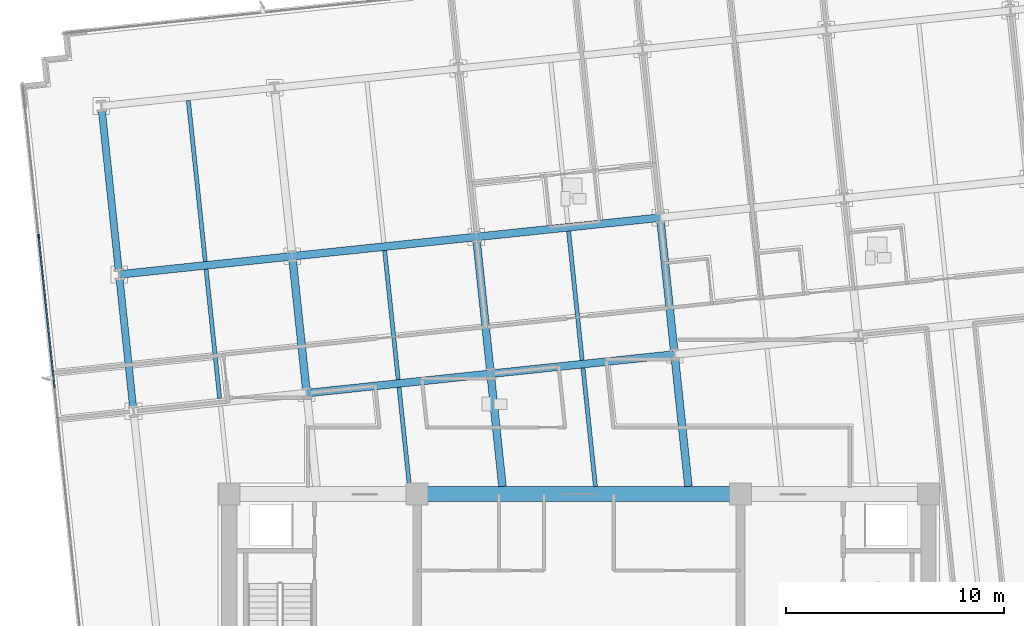
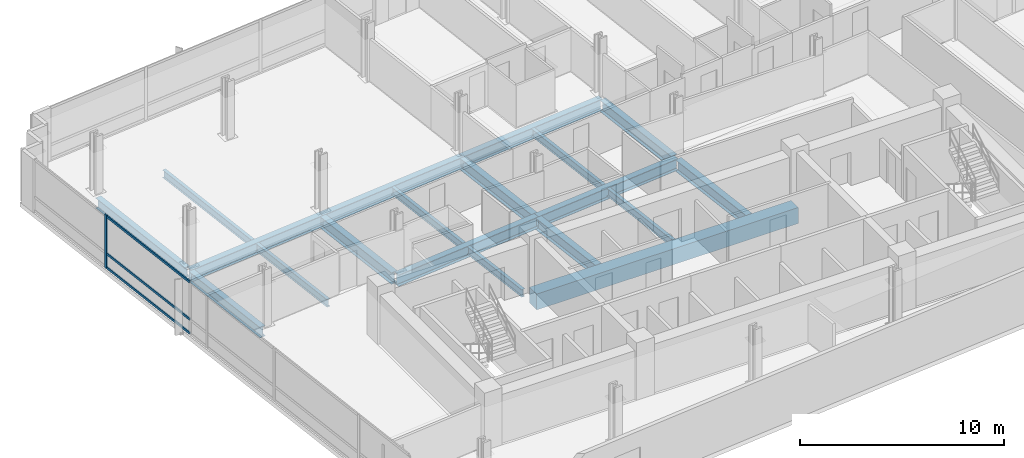
# One storey, part 3 of 17: 19 beams, 4 members, 1 element without a shape of its own.
"""IFC4 building model written with IfcOpenShell, lengths in metres."""

from ifc_helpers import new_model, si_unit, direction, frame, origin, origin_2d, place, context, subcontext, project, spatial, rectangle, i_section, extrude, material, material_profile, profile_set, type_object, element, aggregate, save


model = new_model("IFC4")

# Units and contexts
model_context = context("Model", 3, precision=1e-05, world=origin(), true_north=direction((0.0, 1.0)))
body_context = subcontext(model_context, "Body", "Model", "MODEL_VIEW")
ifc_project = project(units=[si_unit("LENGTHUNIT", "METRE"), si_unit("AREAUNIT", "SQUARE_METRE"), si_unit("VOLUMEUNIT", "CUBIC_METRE"), si_unit("PLANEANGLEUNIT", "RADIAN"), si_unit("MASSUNIT", "GRAM", prefix="KILO")], contexts=[model_context])

# Site, building, storey
site_placement = place(None, origin())
site = spatial("IfcSite", under=ifc_project, at=site_placement, CompositionType="ELEMENT")
building_placement = place(site_placement, origin())
building = spatial("IfcBuilding", under=site, at=building_placement, Name="Solmavex Isthmus Hotel", CompositionType="ELEMENT")
storey_placement = place(building_placement, frame((0.0, 0.0, 93.89990234375)))
storey = spatial("IfcBuildingStorey", under=building, at=storey_placement, Name="L25", CompositionType="ELEMENT", Elevation=93.89990234375)

# Beams
ifc_material_1 = material(Name="Steel ASTM A992 Grade 50", Category="steel")
ifc_material_profile_1 = material_profile(ifc_material_1, i_section(OverallWidth=0.354736328125, OverallDepth=0.695556640625, WebThickness=0.015380859375, FlangeThickness=0.02490234375, FilletRadius=0.017822265625, at=origin_2d()), Name="W27X146")
ifc_profile_set_1 = profile_set([ifc_material_profile_1], Name="Steel ASTM A992 Grade 50")
beam_type_1 = type_object("IfcBeamType", Name="BM-BG-W27X146", PredefinedType="BEAM", material=ifc_profile_set_1)
beam_1_placement = place(storey_placement, frame((-12.458740234375, 2.11865234375, -0.607666015625), z_axis=(0.994521085209, 0.104536171134, 0.0), x_axis=(-0.104536171134, 0.994521085209, 0.0)))
element("IfcBeam", 1, at=beam_1_placement, inside=storey, type_object=beam_type_1, Name="Floor Girder L25-UG08", PredefinedType="BEAM", context=body_context, shape_type="SweptSolid", body=[
    extrude(i_section(OverallWidth=0.354736328125, OverallDepth=0.695556640625, WebThickness=0.015380859375, FlangeThickness=0.02490234375, FilletRadius=0.017822265625, at=origin_2d()), origin(), (0.0, 0.0, 1.0), 8.466064453125),
])
beam_2_placement = place(storey_placement, frame((-4.0390625, 3.003662109375, -0.607666015625), z_axis=(0.994523767887, 0.104510645909, 0.0), x_axis=(-0.104510645909, 0.994523767887, 0.0)))
element("IfcBeam", 2, at=beam_2_placement, inside=storey, type_object=beam_type_1, Name="Floor Girder L25-UG09", PredefinedType="BEAM", context=body_context, shape_type="SweptSolid", body=[
    extrude(i_section(OverallWidth=0.354736328125, OverallDepth=0.695556640625, WebThickness=0.015380859375, FlangeThickness=0.02490234375, FilletRadius=0.017822265625, at=origin_2d()), origin(), (0.0, 0.0, 1.0), 8.4658203125),
])
beam_3_placement = place(storey_placement, frame((-21.04150390625, 7.54931640625, -0.607666015625), z_axis=(0.994523402738, 0.104514120609, 0.0), x_axis=(-0.104514120609, 0.994523402738, 0.0)))
element("IfcBeam", 3, at=beam_3_placement, inside=storey, type_object=beam_type_1, Name="Floor Girder L25-UG13", PredefinedType="BEAM", context=body_context, shape_type="SweptSolid", body=[
    extrude(i_section(OverallWidth=0.354736328125, OverallDepth=0.695556640625, WebThickness=0.015380859375, FlangeThickness=0.02490234375, FilletRadius=0.017822265625, at=origin_2d()), origin(), (0.0, 0.0, 1.0), 7.968017578125),
])
for number, where, z_axis, x_axis, name in (
    (4, (-13.1171875, 8.382080078125, -0.607666015625), (0.994521085209, 0.104536171134, 0.0), (-0.104536171134, 0.994521085209, 0.0), "Floor Girder L25-UG14"),
    (5, (-4.697509765625, 9.26708984375, -0.607666015625), (0.994521085209, 0.104536171134, 0.0), (-0.104536171134, 0.994521085209, 0.0), "Floor Girder L25-UG15"),
):
    element("IfcBeam", number, at=place(storey_placement, frame(where, z_axis=z_axis, x_axis=x_axis)), inside=storey, type_object=beam_type_1, Name=name, PredefinedType="BEAM", context=body_context, shape_type="SweptSolid", body=[
        extrude(i_section(OverallWidth=0.354736328125, OverallDepth=0.695556640625, WebThickness=0.015380859375, FlangeThickness=0.02490234375, FilletRadius=0.017822265625, at=origin_2d()), origin(), (0.0, 0.0, 1.0), 8.466064453125),
    ])
beam_4_placement = place(storey_placement, frame((-12.477294921875, 2.295166015625, -0.607666015625), z_axis=(-0.104545790518, 0.994520074048, 0.0), x_axis=(-0.994520074048, -0.104545790518, 0.0)))
element("IfcBeam", 6, at=beam_4_placement, inside=storey, type_object=beam_type_1, Name="Floor Beam L25-VG30", PredefinedType="BEAM", context=body_context, shape_type="SweptSolid", body=[
    extrude(i_section(OverallWidth=0.354736328125, OverallDepth=0.695556640625, WebThickness=0.015380859375, FlangeThickness=0.02490234375, FilletRadius=0.017822265625, at=origin_2d()), origin(), (0.0, 0.0, 1.0), 5.943115234375),
])
beam_5_placement = place(storey_placement, frame((-3.49755859375, -2.14990234375, -0.607666015625), z_axis=(-0.104496861251, 0.994525216366, 0.0), x_axis=(-0.994525216366, -0.104496861251, 0.0)))
element("IfcBeam", 7, at=beam_5_placement, inside=storey, type_object=beam_type_1, Name="Floor Beam L25-VG33", PredefinedType="BEAM", context=body_context, shape_type="SweptSolid", body=[
    extrude(i_section(OverallWidth=0.354736328125, OverallDepth=0.695556640625, WebThickness=0.015380859375, FlangeThickness=0.02490234375, FilletRadius=0.017822265625, at=origin_2d()), origin(), (0.0, 0.0, 1.0), 5.00439453125),
])
beam_6_placement = place(storey_placement, frame((-4.0576171875, 3.179931640625, -0.607666015625), z_axis=(-0.104545790518, 0.994520074048, 0.0), x_axis=(-0.994520074048, -0.104545790518, 0.0)))
element("IfcBeam", 8, at=beam_6_placement, inside=storey, type_object=beam_type_1, Name="Floor Beam L25-VG34", PredefinedType="BEAM", context=body_context, shape_type="SweptSolid", body=[
    extrude(i_section(OverallWidth=0.354736328125, OverallDepth=0.695556640625, WebThickness=0.015380859375, FlangeThickness=0.02490234375, FilletRadius=0.017822265625, at=origin_2d()), origin(), (0.0, 0.0, 1.0), 5.943115234375),
])
beam_7_placement = place(storey_placement, frame((5.01513671875, -2.14990234375, -0.607666015625), z_axis=(-0.104542482388, 0.994520421799, 0.0), x_axis=(-0.994520421799, -0.104542482388, 0.0)))
element("IfcBeam", 9, at=beam_7_placement, inside=storey, type_object=beam_type_1, Name="Floor Beam L25-VG37", PredefinedType="BEAM", context=body_context, shape_type="SweptSolid", body=[
    extrude(i_section(OverallWidth=0.354736328125, OverallDepth=0.695556640625, WebThickness=0.015380859375, FlangeThickness=0.02490234375, FilletRadius=0.017822265625, at=origin_2d()), origin(), (0.0, 0.0, 1.0), 5.894287109375),
])
beam_8_placement = place(storey_placement, frame((4.362060546875, 4.06494140625, -0.607666015625), z_axis=(-0.104545790518, 0.994520074048, 0.0), x_axis=(-0.994520074048, -0.104545790518, 0.0)))
element("IfcBeam", 10, at=beam_8_placement, inside=storey, type_object=beam_type_1, Name="Floor Beam L25-VG38", PredefinedType="BEAM", context=body_context, shape_type="SweptSolid", body=[
    extrude(i_section(OverallWidth=0.354736328125, OverallDepth=0.695556640625, WebThickness=0.015380859375, FlangeThickness=0.02490234375, FilletRadius=0.017822265625, at=origin_2d()), origin(), (0.0, 0.0, 1.0), 5.943115234375),
])
ifc_material_profile_2 = material_profile(ifc_material_1, i_section(OverallWidth=0.1904296875, OverallDepth=0.456787109375, WebThickness=0.009033203125, FlangeThickness=0.014404296875, FilletRadius=0.0126953125, at=origin_2d()), Name="W18X50")
ifc_profile_set_2 = profile_set([ifc_material_profile_2], Name="Steel ASTM A992 Grade 50")
beam_type_2 = type_object("IfcBeamType", Name="BM-BJ-W18X50", PredefinedType="JOIST", material=ifc_profile_set_2)
beam_9_placement = place(storey_placement, frame((-16.439453125, 1.878662109375, -0.48828125), z_axis=(-0.104545790518, 0.994520074048, 0.0), x_axis=(-0.994520074048, -0.104545790518, 0.0)))
element("IfcBeam", 11, at=beam_9_placement, inside=storey, type_object=beam_type_2, Name="Secondary Floor Joist L25-J03", PredefinedType="JOIST", context=body_context, shape_type="SweptSolid", body=[
    extrude(i_section(OverallWidth=0.1904296875, OverallDepth=0.456787109375, WebThickness=0.009033203125, FlangeThickness=0.014404296875, FilletRadius=0.0126953125, at=origin_2d()), origin(), (0.0, 0.0, 1.0), 5.943115234375),
])
beam_10_placement = place(storey_placement, frame((-17.097900390625, 8.14208984375, -0.48828125), z_axis=(-0.104525307271, 0.994522227072, 0.0), x_axis=(-0.994522227072, -0.104525307271, 0.0)))
element("IfcBeam", 12, at=beam_10_placement, inside=storey, type_object=beam_type_2, Name="Secondary Floor Joist L25-J04", PredefinedType="JOIST", context=body_context, shape_type="SweptSolid", body=[
    extrude(i_section(OverallWidth=0.1904296875, OverallDepth=0.456787109375, WebThickness=0.009033203125, FlangeThickness=0.014404296875, FilletRadius=0.0126953125, at=origin_2d()), origin(), (0.0, 0.0, 1.0), 7.4111328125),
])
beam_11_placement = place(storey_placement, frame((-7.75390625, -2.14990234375, -0.48828125), z_axis=(-0.104517550263, 0.994523042311, 0.0), x_axis=(-0.994523042311, -0.104517550263, 0.0)))
element("IfcBeam", 13, at=beam_11_placement, inside=storey, type_object=beam_type_2, Name="Secondary Floor Joist L25-J06", PredefinedType="JOIST", context=body_context, shape_type="SweptSolid", body=[
    extrude(i_section(OverallWidth=0.1904296875, OverallDepth=0.456787109375, WebThickness=0.009033203125, FlangeThickness=0.014404296875, FilletRadius=0.0126953125, at=origin_2d()), origin(), (0.0, 0.0, 1.0), 4.5595703125),
])
beam_12_placement = place(storey_placement, frame((-8.267578125, 2.737548828125, -0.48828125), z_axis=(-0.104505160346, 0.994524344328, 0.0), x_axis=(-0.994524344328, -0.104505160346, 0.0)))
element("IfcBeam", 14, at=beam_12_placement, inside=storey, type_object=beam_type_2, Name="Secondary Floor Joist L25-J07", PredefinedType="JOIST", context=body_context, shape_type="SweptSolid", body=[
    extrude(i_section(OverallWidth=0.1904296875, OverallDepth=0.456787109375, WebThickness=0.009033203125, FlangeThickness=0.014404296875, FilletRadius=0.0126953125, at=origin_2d()), origin(), (0.0, 0.0, 1.0), 5.943115234375),
])
beam_13_placement = place(storey_placement, frame((0.7587890625, -2.14990234375, -0.48828125), z_axis=(-0.104523862956, 0.99452237887, 0.0), x_axis=(-0.99452237887, -0.104523862956, 0.0)))
element("IfcBeam", 15, at=beam_13_placement, inside=storey, type_object=beam_type_2, Name="Secondary Floor Joist L25-J10", PredefinedType="JOIST", context=body_context, shape_type="SweptSolid", body=[
    extrude(i_section(OverallWidth=0.1904296875, OverallDepth=0.456787109375, WebThickness=0.009033203125, FlangeThickness=0.014404296875, FilletRadius=0.0126953125, at=origin_2d()), origin(), (0.0, 0.0, 1.0), 5.44921875),
])
beam_14_placement = place(storey_placement, frame((0.152099609375, 3.62255859375, -0.48828125), z_axis=(-0.104505160346, 0.994524344328, 0.0), x_axis=(-0.994524344328, -0.104505160346, 0.0)))
element("IfcBeam", 16, at=beam_14_placement, inside=storey, type_object=beam_type_2, Name="Secondary Floor Joist L25-J11", PredefinedType="JOIST", context=body_context, shape_type="SweptSolid", body=[
    extrude(i_section(OverallWidth=0.1904296875, OverallDepth=0.456787109375, WebThickness=0.009033203125, FlangeThickness=0.014404296875, FilletRadius=0.0126953125, at=origin_2d()), origin(), (0.0, 0.0, 1.0), 5.943115234375),
])
ifc_material_2 = material(Name="Concrete C60/75", Category="concrete")
ifc_material_profile_3 = material_profile(ifc_material_2, rectangle(XDim=0.699951171875, YDim=0.949951171875, at=origin_2d()), Name="RC700X950")
ifc_profile_set_3 = profile_set([ifc_material_profile_3], Name="Concrete C60/75")
beam_type_3 = type_object("IfcBeamType", Name="BM-CB-700X950", PredefinedType="BEAM", material=ifc_profile_set_3)
beam_15_placement = place(storey_placement, frame((-7.39990234375, -2.5, -0.73486328125), z_axis=(1.0, 0.0, 0.0), x_axis=(0.0, 1.0, 0.0)))
element("IfcBeam", 17, at=beam_15_placement, inside=storey, type_object=beam_type_3, Name="Core Coupling Beam L25-CB5", PredefinedType="BEAM", context=body_context, shape_type="SweptSolid", body=[
    extrude(rectangle(XDim=0.699951171875, YDim=0.949951171875, at=origin_2d()), origin(), (0.0, 0.0, 1.0), 14.7998046875),
])
ifc_material_profile_4 = material_profile(ifc_material_1, i_section(OverallWidth=0.326416015625, OverallDepth=0.621826171875, WebThickness=0.015380859375, FlangeThickness=0.0244140625, FilletRadius=0.01513671875, at=origin_2d()), Name="W24X131")
ifc_profile_set_4 = profile_set([ifc_material_profile_4], Name="Steel ASTM A992 Grade 50")
beam_type_4 = type_object("IfcBeamType", Name="BM-SP-W24X131", PredefinedType="SPANDREL", material=ifc_profile_set_4)
beam_16_placement = place(storey_placement, frame((-20.401611328125, 1.462158203125, -0.57080078125), z_axis=(-0.104545790518, 0.994520074048, 0.0), x_axis=(-0.994520074048, -0.104545790518, 0.0)))
element("IfcBeam", 18, at=beam_16_placement, inside=storey, type_object=beam_type_4, Name="Floor Beam L25-VG26", PredefinedType="SPANDREL", context=body_context, shape_type="SweptSolid", body=[
    extrude(i_section(OverallWidth=0.326416015625, OverallDepth=0.621826171875, WebThickness=0.015380859375, FlangeThickness=0.0244140625, FilletRadius=0.01513671875, at=origin_2d()), origin(), (0.0, 0.0, 1.0), 5.943115234375),
])
beam_17_placement = place(storey_placement, frame((-21.06005859375, 7.7255859375, -0.57080078125), z_axis=(-0.10452188296, 0.994522586964, 0.0), x_axis=(-0.994522586964, -0.10452188296, 0.0)))
element("IfcBeam", 19, at=beam_17_placement, inside=storey, type_object=beam_type_4, Name="Floor Beam L25-VG27", PredefinedType="SPANDREL", context=body_context, shape_type="SweptSolid", body=[
    extrude(i_section(OverallWidth=0.326416015625, OverallDepth=0.621826171875, WebThickness=0.015380859375, FlangeThickness=0.0244140625, FilletRadius=0.01513671875, at=origin_2d()), origin(), (0.0, 0.0, 1.0), 7.411376953125),
])

# Curtain wall, members
ifc_material_3 = material(Name="Aluminium alloy 6063-T6", Category="aluminium")
curtain_wall_type = type_object("IfcCurtainWallType", Name="CW-SYS-03", PredefinedType="NOTDEFINED", material=ifc_material_3)
curtain_wall_placement = place(storey_placement, origin())
curtain_wall = element("IfcCurtainWall", 20, at=curtain_wall_placement, inside=storey, type_object=curtain_wall_type, Name="Stick Curtain Wall CWL-L25-W1", PredefinedType="NOTDEFINED")
ifc_material_profile_5 = material_profile(ifc_material_3, rectangle(XDim=0.070068359375, YDim=0.179931640625, at=origin_2d()), Name="CWM-70X180")
ifc_profile_set_5 = profile_set([ifc_material_profile_5], Name="Aluminium alloy 6063-T6")
member_type_1 = type_object("IfcMemberType", Name="CW-SYS-03-MUL", PredefinedType="MULLION", material=ifc_profile_set_5)
member_1_placement = place(storey_placement, frame((-24.725341796875, 9.305908203125, 0.0), z_axis=(0.0, 0.0, 1.0), x_axis=(-0.994521893044, -0.104528485381, 0.0)))
member_1 = element("IfcMember", 21, at=member_1_placement, type_object=member_type_1, Name="CW-03 mullion 5", PredefinedType="MULLION", context=body_context, shape_type="SweptSolid", body=[
    extrude(rectangle(XDim=0.070068359375, YDim=0.179931640625, at=origin_2d()), origin(), (0.0, 0.0, 1.0), 3.190185546875),
])
ifc_material_profile_6 = material_profile(ifc_material_3, rectangle(XDim=0.070068359375, YDim=0.139892578125, at=origin_2d()), Name="CWT-70X140")
ifc_profile_set_6 = profile_set([ifc_material_profile_6], Name="Aluminium alloy 6063-T6")
member_type_2 = type_object("IfcMemberType", Name="CW-SYS-03-TRN", PredefinedType="USERDEFINED", material=ifc_profile_set_6)
member_2_placement = place(storey_placement, frame((-23.9951171875, 2.359130859375, 0.070068359375), z_axis=(-0.104542152467, 0.99452045648, 0.0), x_axis=(-0.99452045648, -0.104542152467, 0.0)))
member_2 = element("IfcMember", 22, at=member_2_placement, type_object=member_type_2, Name="CW-03 transom 4.1", ObjectType="TRANSOM", PredefinedType="USERDEFINED", context=body_context, shape_type="SweptSolid", body=[
    extrude(rectangle(XDim=0.070068359375, YDim=0.139892578125, at=origin_2d()), origin(), (0.0, 0.0, 1.0), 6.949951171875),
])
member_3_placement = place(storey_placement, frame((-23.9951171875, 2.359130859375, 0.900146484375), z_axis=(-0.104542152467, 0.99452045648, 0.0), x_axis=(-0.99452045648, -0.104542152467, 0.0)))
member_3 = element("IfcMember", 23, at=member_3_placement, type_object=member_type_2, Name="CW-03 transom 4.2", ObjectType="TRANSOM", PredefinedType="USERDEFINED", context=body_context, shape_type="SweptSolid", body=[
    extrude(rectangle(XDim=0.070068359375, YDim=0.139892578125, at=origin_2d()), origin(), (0.0, 0.0, 1.0), 6.949951171875),
])
member_4_placement = place(storey_placement, frame((-23.9951171875, 2.359130859375, 3.1201171875), z_axis=(-0.104542152467, 0.99452045648, 0.0), x_axis=(-0.99452045648, -0.104542152467, 0.0)))
member_4 = element("IfcMember", 24, at=member_4_placement, type_object=member_type_2, Name="CW-03 transom 4.3", ObjectType="TRANSOM", PredefinedType="USERDEFINED", context=body_context, shape_type="SweptSolid", body=[
    extrude(rectangle(XDim=0.070068359375, YDim=0.139892578125, at=origin_2d()), origin(), (0.0, 0.0, 1.0), 6.949951171875),
])
aggregate(curtain_wall, [member_1, member_2, member_3, member_4])

save(model, "model.ifc")
